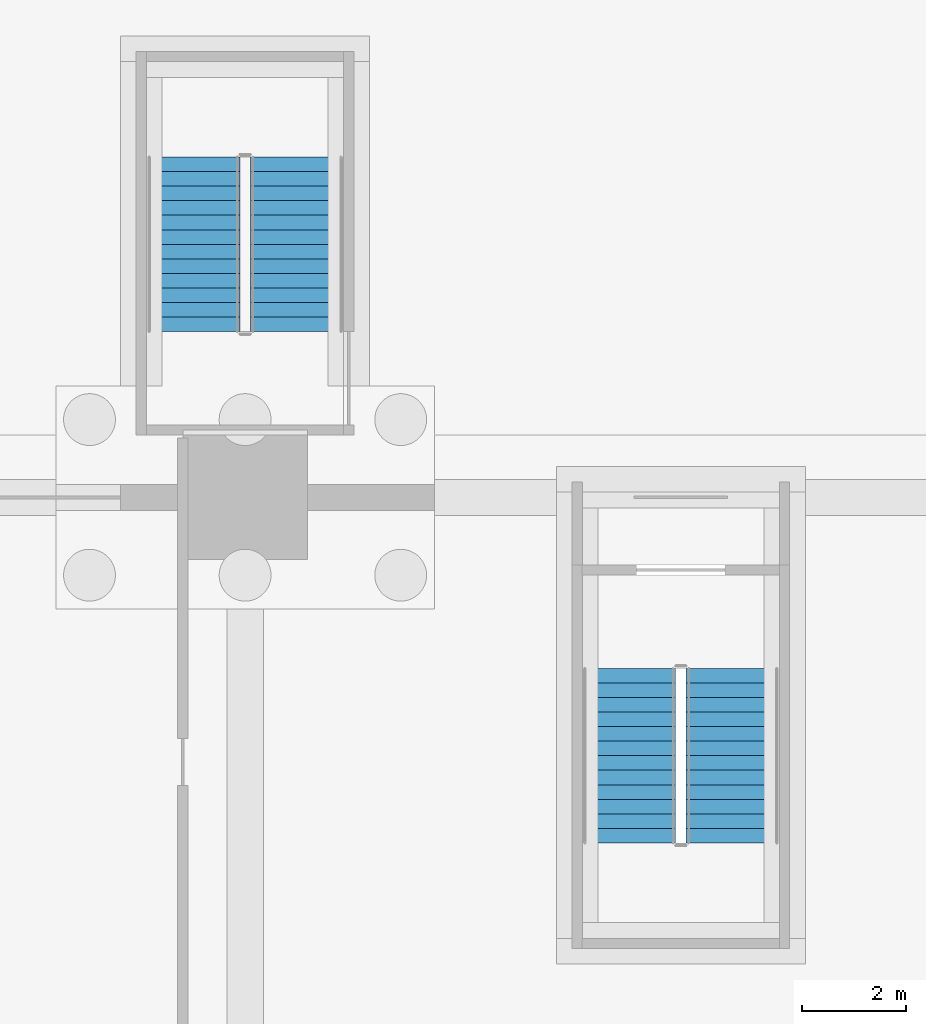
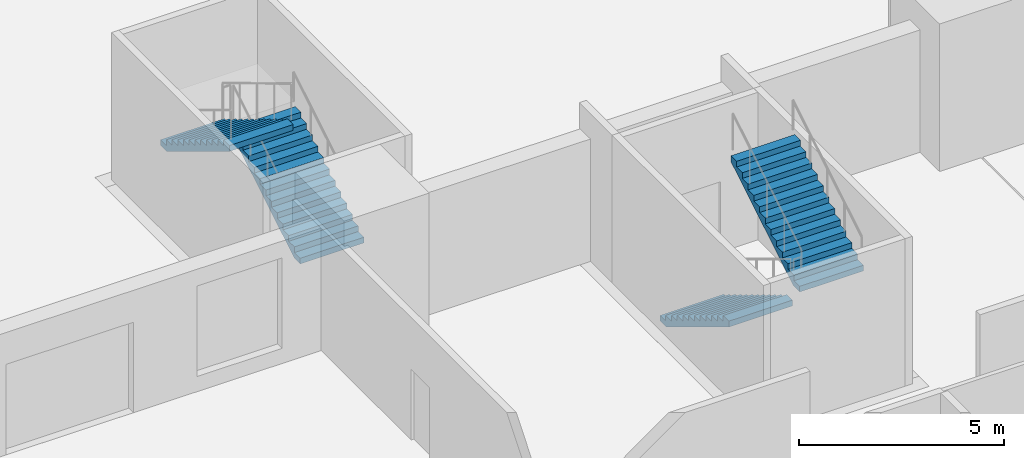
# One storey, part 110 of 139: 4 stair flights, 2 elements without a shape of their own.
"""IFC4 building model written with IfcOpenShell, lengths in metres."""

from ifc_helpers import new_model, si_unit, direction, frame, origin, place, context, subcontext, project, spatial, polygons, material, type_object, element, aggregate, save


model = new_model("IFC4")

# Units and contexts
model_context = context("Model", 3, precision=1e-05, world=origin(), true_north=direction((0.0, 1.0)))
body_context = subcontext(model_context, "Body", "Model", "MODEL_VIEW")
ifc_project = project(units=[si_unit("LENGTHUNIT", "METRE"), si_unit("AREAUNIT", "SQUARE_METRE"), si_unit("VOLUMEUNIT", "CUBIC_METRE"), si_unit("PLANEANGLEUNIT", "RADIAN"), si_unit("MASSUNIT", "GRAM", prefix="KILO")], contexts=[model_context])

# Site, building, storey
site_placement = place(None, origin())
site = spatial("IfcSite", under=ifc_project, at=site_placement, CompositionType="ELEMENT")
building_placement = place(site_placement, origin())
building = spatial("IfcBuilding", under=site, at=building_placement, Name="Verrick Yard Athletic Hall", CompositionType="ELEMENT")
storey_placement = place(building_placement, origin())
storey = spatial("IfcBuildingStorey", under=building, at=storey_placement, Name="L00", CompositionType="ELEMENT", Elevation=0.0)

# Stair, stair flights
ifc_material = material(Name="Concrete 35 MPa", Category="concrete")
stair_type = type_object("IfcStairType", Name="Stair ST3 1800 wide 26 risers", PredefinedType="HALF_TURN_STAIR", material=ifc_material)
stair_1_placement = place(storey_placement, origin())
stair_1 = element("IfcStair", 1, at=stair_1_placement, inside=storey, type_object=stair_type, Name="North deck escape 2 stair L00", PredefinedType="HALF_TURN_STAIR")
stair_flight_type = type_object("IfcStairFlightType", Name="Stair flight SF3 1800 wide 13 risers", PredefinedType="STRAIGHT", material=ifc_material)
stair_flight_1_placement = place(storey_placement, frame((108.199951171875, 56.0, 0.0), z_axis=(0.0, 0.0, 1.0), x_axis=(0.0, 1.0, 0.0)))
stair_flight_1 = element("IfcStairFlight", 2, at=stair_flight_1_placement, type_object=stair_flight_type, Name="ST3 flight 1", NumberOfRisers=13, NumberOfTreads=12, PredefinedType="STRAIGHT", RiserHeight=0.169230769, TreadLength=0.28, context=body_context, shape_type="Tessellation", body=[
    polygons([(0.28980123017674275, -0.89990234375, 0.0), (3.3600000000000003, -0.89990234375, 1.855614638571585), (3.3600000000000003, -0.89990234375, 2.030769228), (3.08, -0.89990234375, 2.030769228), (3.08, -0.89990234375, 1.8615384590000001), (2.8000000000000003, -0.89990234375, 1.8615384590000001), (2.8000000000000003, -0.89990234375, 1.69230769), (2.5200000000000005, -0.89990234375, 1.69230769), (2.5200000000000005, -0.89990234375, 1.523076921), (2.24, -0.89990234375, 1.523076921), (2.24, -0.89990234375, 1.353846152), (1.9600000000000002, -0.89990234375, 1.353846152), (1.9600000000000002, -0.89990234375, 1.1846153830000001), (1.6800000000000002, -0.89990234375, 1.1846153830000001), (1.6800000000000002, -0.89990234375, 1.015384614), (1.4000000000000001, -0.89990234375, 1.015384614), (1.4000000000000001, -0.89990234375, 0.846153845), (1.12, -0.89990234375, 0.846153845), (1.12, -0.89990234375, 0.676923076), (0.8400000000000001, -0.89990234375, 0.676923076), (0.8400000000000001, -0.89990234375, 0.507692307), (0.56, -0.89990234375, 0.507692307), (0.56, -0.89990234375, 0.338461538), (0.28, -0.89990234375, 0.338461538), (0.28, -0.89990234375, 0.169230769), (0.0, -0.89990234375, 0.169230769), (0.0, -0.89990234375, 0.0), (0.28980123017674275, -0.179931640625, 0.0), (3.3600000000000003, -0.179931640625, 1.855614638571585), (3.3600000000000003, -0.179931640625, 2.030769228), (3.08, -0.179931640625, 2.030769228), (3.08, -0.179931640625, 1.8615384590000001), (2.8000000000000003, -0.179931640625, 1.8615384590000001), (2.8000000000000003, -0.179931640625, 1.69230769), (2.5200000000000005, -0.179931640625, 1.69230769), (2.5200000000000005, -0.179931640625, 1.523076921), (2.24, -0.179931640625, 1.523076921), (2.24, -0.179931640625, 1.353846152), (1.9600000000000002, -0.179931640625, 1.353846152), (1.9600000000000002, -0.179931640625, 1.1846153830000001), (1.6800000000000002, -0.179931640625, 1.1846153830000001), (1.6800000000000002, -0.179931640625, 1.015384614), (1.4000000000000001, -0.179931640625, 1.015384614), (1.4000000000000001, -0.179931640625, 0.846153845), (1.12, -0.179931640625, 0.846153845), (1.12, -0.179931640625, 0.676923076), (0.8400000000000001, -0.179931640625, 0.676923076), (0.8400000000000001, -0.179931640625, 0.507692307), (0.56, -0.179931640625, 0.507692307), (0.56, -0.179931640625, 0.338461538), (0.28, -0.179931640625, 0.338461538), (0.28, -0.179931640625, 0.169230769), (0.0, -0.179931640625, 0.169230769), (0.0, -0.179931640625, 0.0), (0.28980123017674275, 0.179931640625, 0.0), (3.3600000000000003, 0.179931640625, 1.855614638571585), (3.3600000000000003, 0.179931640625, 2.030769228), (3.08, 0.179931640625, 2.030769228), (3.08, 0.179931640625, 1.8615384590000001), (2.8000000000000003, 0.179931640625, 1.8615384590000001), (2.8000000000000003, 0.179931640625, 1.69230769), (2.5200000000000005, 0.179931640625, 1.69230769), (2.5200000000000005, 0.179931640625, 1.523076921), (2.24, 0.179931640625, 1.523076921), (2.24, 0.179931640625, 1.353846152), (1.9600000000000002, 0.179931640625, 1.353846152), (1.9600000000000002, 0.179931640625, 1.1846153830000001), (1.6800000000000002, 0.179931640625, 1.1846153830000001), (1.6800000000000002, 0.179931640625, 1.015384614), (1.4000000000000001, 0.179931640625, 1.015384614), (1.4000000000000001, 0.179931640625, 0.846153845), (1.12, 0.179931640625, 0.846153845), (1.12, 0.179931640625, 0.676923076), (0.8400000000000001, 0.179931640625, 0.676923076), (0.8400000000000001, 0.179931640625, 0.507692307), (0.56, 0.179931640625, 0.507692307), (0.56, 0.179931640625, 0.338461538), (0.28, 0.179931640625, 0.338461538), (0.28, 0.179931640625, 0.169230769), (0.0, 0.179931640625, 0.169230769), (0.0, 0.179931640625, 0.0), (0.28980123017674275, 0.89990234375, 0.0), (3.3600000000000003, 0.89990234375, 1.855614638571585), (3.3600000000000003, 0.89990234375, 2.030769228), (3.08, 0.89990234375, 2.030769228), (3.08, 0.89990234375, 1.8615384590000001), (2.8000000000000003, 0.89990234375, 1.8615384590000001), (2.8000000000000003, 0.89990234375, 1.69230769), (2.5200000000000005, 0.89990234375, 1.69230769), (2.5200000000000005, 0.89990234375, 1.523076921), (2.24, 0.89990234375, 1.523076921), (2.24, 0.89990234375, 1.353846152), (1.9600000000000002, 0.89990234375, 1.353846152), (1.9600000000000002, 0.89990234375, 1.1846153830000001), (1.6800000000000002, 0.89990234375, 1.1846153830000001), (1.6800000000000002, 0.89990234375, 1.015384614), (1.4000000000000001, 0.89990234375, 1.015384614), (1.4000000000000001, 0.89990234375, 0.846153845), (1.12, 0.89990234375, 0.846153845), (1.12, 0.89990234375, 0.676923076), (0.8400000000000001, 0.89990234375, 0.676923076), (0.8400000000000001, 0.89990234375, 0.507692307), (0.56, 0.89990234375, 0.507692307), (0.56, 0.89990234375, 0.338461538), (0.28, 0.89990234375, 0.338461538), (0.28, 0.89990234375, 0.169230769), (0.0, 0.89990234375, 0.169230769), (0.0, 0.89990234375, 0.0)], [[[1, 2, 3, 4, 5, 6, 7, 8, 9, 10, 11, 12, 13, 14, 15, 16, 17, 18, 19, 20, 21, 22, 23, 24, 25, 26, 27]], [[108, 107, 106, 105, 104, 103, 102, 101, 100, 99, 98, 97, 96, 95, 94, 93, 92, 91, 90, 89, 88, 87, 86, 85, 84, 83, 82]], [[1, 28, 29, 2]], [[2, 29, 30, 3]], [[3, 30, 31, 4]], [[4, 31, 32, 5]], [[5, 32, 33, 6]], [[6, 33, 34, 7]], [[7, 34, 35, 8]], [[8, 35, 36, 9]], [[9, 36, 37, 10]], [[10, 37, 38, 11]], [[11, 38, 39, 12]], [[12, 39, 40, 13]], [[13, 40, 41, 14]], [[14, 41, 42, 15]], [[15, 42, 43, 16]], [[16, 43, 44, 17]], [[17, 44, 45, 18]], [[18, 45, 46, 19]], [[19, 46, 47, 20]], [[20, 47, 48, 21]], [[21, 48, 49, 22]], [[22, 49, 50, 23]], [[23, 50, 51, 24]], [[24, 51, 52, 25]], [[25, 52, 53, 26]], [[26, 53, 54, 27]], [[27, 54, 28, 1]], [[28, 55, 56, 29]], [[29, 56, 57, 30]], [[30, 57, 58, 31]], [[31, 58, 59, 32]], [[32, 59, 60, 33]], [[33, 60, 61, 34]], [[34, 61, 62, 35]], [[35, 62, 63, 36]], [[36, 63, 64, 37]], [[37, 64, 65, 38]], [[38, 65, 66, 39]], [[39, 66, 67, 40]], [[40, 67, 68, 41]], [[41, 68, 69, 42]], [[42, 69, 70, 43]], [[43, 70, 71, 44]], [[44, 71, 72, 45]], [[45, 72, 73, 46]], [[46, 73, 74, 47]], [[47, 74, 75, 48]], [[48, 75, 76, 49]], [[49, 76, 77, 50]], [[50, 77, 78, 51]], [[51, 78, 79, 52]], [[52, 79, 80, 53]], [[53, 80, 81, 54]], [[54, 81, 55, 28]], [[55, 82, 83, 56]], [[56, 83, 84, 57]], [[57, 84, 85, 58]], [[58, 85, 86, 59]], [[59, 86, 87, 60]], [[60, 87, 88, 61]], [[61, 88, 89, 62]], [[62, 89, 90, 63]], [[63, 90, 91, 64]], [[64, 91, 92, 65]], [[65, 92, 93, 66]], [[66, 93, 94, 67]], [[67, 94, 95, 68]], [[68, 95, 96, 69]], [[69, 96, 97, 70]], [[70, 97, 98, 71]], [[71, 98, 99, 72]], [[72, 99, 100, 73]], [[73, 100, 101, 74]], [[74, 101, 102, 75]], [[75, 102, 103, 76]], [[76, 103, 104, 77]], [[77, 104, 105, 78]], [[78, 105, 106, 79]], [[79, 106, 107, 80]], [[80, 107, 108, 81]], [[81, 108, 82, 55]]], closed=True),
])
stair_flight_2_placement = place(storey_placement, frame((106.199951171875, 59.360107421875, 2.199951171875), z_axis=(0.0, 0.0, 1.0), x_axis=(0.0, -1.0, 0.0)))
stair_flight_2 = element("IfcStairFlight", 3, at=stair_flight_2_placement, type_object=stair_flight_type, Name="ST3 flight 2", NumberOfRisers=13, NumberOfTreads=12, PredefinedType="STRAIGHT", RiserHeight=0.169230769, TreadLength=0.28, context=body_context, shape_type="Tessellation", body=[
    polygons([(0.28980123017674275, -0.89990234375, 0.0), (3.3600000000000003, -0.89990234375, 1.855614638571585), (3.3600000000000003, -0.89990234375, 2.030769228), (3.08, -0.89990234375, 2.030769228), (3.08, -0.89990234375, 1.8615384590000001), (2.8000000000000003, -0.89990234375, 1.8615384590000001), (2.8000000000000003, -0.89990234375, 1.69230769), (2.5200000000000005, -0.89990234375, 1.69230769), (2.5200000000000005, -0.89990234375, 1.523076921), (2.24, -0.89990234375, 1.523076921), (2.24, -0.89990234375, 1.353846152), (1.9600000000000002, -0.89990234375, 1.353846152), (1.9600000000000002, -0.89990234375, 1.1846153830000001), (1.6800000000000002, -0.89990234375, 1.1846153830000001), (1.6800000000000002, -0.89990234375, 1.015384614), (1.4000000000000001, -0.89990234375, 1.015384614), (1.4000000000000001, -0.89990234375, 0.846153845), (1.12, -0.89990234375, 0.846153845), (1.12, -0.89990234375, 0.676923076), (0.8400000000000001, -0.89990234375, 0.676923076), (0.8400000000000001, -0.89990234375, 0.507692307), (0.56, -0.89990234375, 0.507692307), (0.56, -0.89990234375, 0.338461538), (0.28, -0.89990234375, 0.338461538), (0.28, -0.89990234375, 0.169230769), (0.0, -0.89990234375, 0.169230769), (0.0, -0.89990234375, 0.0), (0.28980123017674275, -0.179931640625, 0.0), (3.3600000000000003, -0.179931640625, 1.855614638571585), (3.3600000000000003, -0.179931640625, 2.030769228), (3.08, -0.179931640625, 2.030769228), (3.08, -0.179931640625, 1.8615384590000001), (2.8000000000000003, -0.179931640625, 1.8615384590000001), (2.8000000000000003, -0.179931640625, 1.69230769), (2.5200000000000005, -0.179931640625, 1.69230769), (2.5200000000000005, -0.179931640625, 1.523076921), (2.24, -0.179931640625, 1.523076921), (2.24, -0.179931640625, 1.353846152), (1.9600000000000002, -0.179931640625, 1.353846152), (1.9600000000000002, -0.179931640625, 1.1846153830000001), (1.6800000000000002, -0.179931640625, 1.1846153830000001), (1.6800000000000002, -0.179931640625, 1.015384614), (1.4000000000000001, -0.179931640625, 1.015384614), (1.4000000000000001, -0.179931640625, 0.846153845), (1.12, -0.179931640625, 0.846153845), (1.12, -0.179931640625, 0.676923076), (0.8400000000000001, -0.179931640625, 0.676923076), (0.8400000000000001, -0.179931640625, 0.507692307), (0.56, -0.179931640625, 0.507692307), (0.56, -0.179931640625, 0.338461538), (0.28, -0.179931640625, 0.338461538), (0.28, -0.179931640625, 0.169230769), (0.0, -0.179931640625, 0.169230769), (0.0, -0.179931640625, 0.0), (0.28980123017674275, 0.179931640625, 0.0), (3.3600000000000003, 0.179931640625, 1.855614638571585), (3.3600000000000003, 0.179931640625, 2.030769228), (3.08, 0.179931640625, 2.030769228), (3.08, 0.179931640625, 1.8615384590000001), (2.8000000000000003, 0.179931640625, 1.8615384590000001), (2.8000000000000003, 0.179931640625, 1.69230769), (2.5200000000000005, 0.179931640625, 1.69230769), (2.5200000000000005, 0.179931640625, 1.523076921), (2.24, 0.179931640625, 1.523076921), (2.24, 0.179931640625, 1.353846152), (1.9600000000000002, 0.179931640625, 1.353846152), (1.9600000000000002, 0.179931640625, 1.1846153830000001), (1.6800000000000002, 0.179931640625, 1.1846153830000001), (1.6800000000000002, 0.179931640625, 1.015384614), (1.4000000000000001, 0.179931640625, 1.015384614), (1.4000000000000001, 0.179931640625, 0.846153845), (1.12, 0.179931640625, 0.846153845), (1.12, 0.179931640625, 0.676923076), (0.8400000000000001, 0.179931640625, 0.676923076), (0.8400000000000001, 0.179931640625, 0.507692307), (0.56, 0.179931640625, 0.507692307), (0.56, 0.179931640625, 0.338461538), (0.28, 0.179931640625, 0.338461538), (0.28, 0.179931640625, 0.169230769), (0.0, 0.179931640625, 0.169230769), (0.0, 0.179931640625, 0.0), (0.28980123017674275, 0.89990234375, 0.0), (3.3600000000000003, 0.89990234375, 1.855614638571585), (3.3600000000000003, 0.89990234375, 2.030769228), (3.08, 0.89990234375, 2.030769228), (3.08, 0.89990234375, 1.8615384590000001), (2.8000000000000003, 0.89990234375, 1.8615384590000001), (2.8000000000000003, 0.89990234375, 1.69230769), (2.5200000000000005, 0.89990234375, 1.69230769), (2.5200000000000005, 0.89990234375, 1.523076921), (2.24, 0.89990234375, 1.523076921), (2.24, 0.89990234375, 1.353846152), (1.9600000000000002, 0.89990234375, 1.353846152), (1.9600000000000002, 0.89990234375, 1.1846153830000001), (1.6800000000000002, 0.89990234375, 1.1846153830000001), (1.6800000000000002, 0.89990234375, 1.015384614), (1.4000000000000001, 0.89990234375, 1.015384614), (1.4000000000000001, 0.89990234375, 0.846153845), (1.12, 0.89990234375, 0.846153845), (1.12, 0.89990234375, 0.676923076), (0.8400000000000001, 0.89990234375, 0.676923076), (0.8400000000000001, 0.89990234375, 0.507692307), (0.56, 0.89990234375, 0.507692307), (0.56, 0.89990234375, 0.338461538), (0.28, 0.89990234375, 0.338461538), (0.28, 0.89990234375, 0.169230769), (0.0, 0.89990234375, 0.169230769), (0.0, 0.89990234375, 0.0)], [[[1, 2, 3, 4, 5, 6, 7, 8, 9, 10, 11, 12, 13, 14, 15, 16, 17, 18, 19, 20, 21, 22, 23, 24, 25, 26, 27]], [[108, 107, 106, 105, 104, 103, 102, 101, 100, 99, 98, 97, 96, 95, 94, 93, 92, 91, 90, 89, 88, 87, 86, 85, 84, 83, 82]], [[1, 28, 29, 2]], [[2, 29, 30, 3]], [[3, 30, 31, 4]], [[4, 31, 32, 5]], [[5, 32, 33, 6]], [[6, 33, 34, 7]], [[7, 34, 35, 8]], [[8, 35, 36, 9]], [[9, 36, 37, 10]], [[10, 37, 38, 11]], [[11, 38, 39, 12]], [[12, 39, 40, 13]], [[13, 40, 41, 14]], [[14, 41, 42, 15]], [[15, 42, 43, 16]], [[16, 43, 44, 17]], [[17, 44, 45, 18]], [[18, 45, 46, 19]], [[19, 46, 47, 20]], [[20, 47, 48, 21]], [[21, 48, 49, 22]], [[22, 49, 50, 23]], [[23, 50, 51, 24]], [[24, 51, 52, 25]], [[25, 52, 53, 26]], [[26, 53, 54, 27]], [[27, 54, 28, 1]], [[28, 55, 56, 29]], [[29, 56, 57, 30]], [[30, 57, 58, 31]], [[31, 58, 59, 32]], [[32, 59, 60, 33]], [[33, 60, 61, 34]], [[34, 61, 62, 35]], [[35, 62, 63, 36]], [[36, 63, 64, 37]], [[37, 64, 65, 38]], [[38, 65, 66, 39]], [[39, 66, 67, 40]], [[40, 67, 68, 41]], [[41, 68, 69, 42]], [[42, 69, 70, 43]], [[43, 70, 71, 44]], [[44, 71, 72, 45]], [[45, 72, 73, 46]], [[46, 73, 74, 47]], [[47, 74, 75, 48]], [[48, 75, 76, 49]], [[49, 76, 77, 50]], [[50, 77, 78, 51]], [[51, 78, 79, 52]], [[52, 79, 80, 53]], [[53, 80, 81, 54]], [[54, 81, 55, 28]], [[55, 82, 83, 56]], [[56, 83, 84, 57]], [[57, 84, 85, 58]], [[58, 85, 86, 59]], [[59, 86, 87, 60]], [[60, 87, 88, 61]], [[61, 88, 89, 62]], [[62, 89, 90, 63]], [[63, 90, 91, 64]], [[64, 91, 92, 65]], [[65, 92, 93, 66]], [[66, 93, 94, 67]], [[67, 94, 95, 68]], [[68, 95, 96, 69]], [[69, 96, 97, 70]], [[70, 97, 98, 71]], [[71, 98, 99, 72]], [[72, 99, 100, 73]], [[73, 100, 101, 74]], [[74, 101, 102, 75]], [[75, 102, 103, 76]], [[76, 103, 104, 77]], [[77, 104, 105, 78]], [[78, 105, 106, 79]], [[79, 106, 107, 80]], [[80, 107, 108, 81]], [[81, 108, 82, 55]]], closed=True),
])
aggregate(stair_1, [stair_flight_1, stair_flight_2])

stair_2_placement = place(storey_placement, origin())
stair_2 = element("IfcStair", 4, at=stair_2_placement, inside=storey, type_object=stair_type, Name="North plinth exit 3 stair L00", PredefinedType="HALF_TURN_STAIR")
stair_flight_3_placement = place(storey_placement, frame((114.60009765625, 49.5, 0.0), z_axis=(0.0, 0.0, 1.0), x_axis=(0.0, -1.0, 0.0)))
stair_flight_3 = element("IfcStairFlight", 5, at=stair_flight_3_placement, type_object=stair_flight_type, Name="ST3 flight 1", NumberOfRisers=13, NumberOfTreads=12, PredefinedType="STRAIGHT", RiserHeight=0.169230769, TreadLength=0.28, context=body_context, shape_type="Tessellation", body=[
    polygons([(0.28980123017674275, -0.89990234375, 0.0), (3.3600000000000003, -0.89990234375, 1.855614638571585), (3.3600000000000003, -0.89990234375, 2.030769228), (3.08, -0.89990234375, 2.030769228), (3.08, -0.89990234375, 1.8615384590000001), (2.8000000000000003, -0.89990234375, 1.8615384590000001), (2.8000000000000003, -0.89990234375, 1.69230769), (2.5200000000000005, -0.89990234375, 1.69230769), (2.5200000000000005, -0.89990234375, 1.523076921), (2.24, -0.89990234375, 1.523076921), (2.24, -0.89990234375, 1.353846152), (1.9600000000000002, -0.89990234375, 1.353846152), (1.9600000000000002, -0.89990234375, 1.1846153830000001), (1.6800000000000002, -0.89990234375, 1.1846153830000001), (1.6800000000000002, -0.89990234375, 1.015384614), (1.4000000000000001, -0.89990234375, 1.015384614), (1.4000000000000001, -0.89990234375, 0.846153845), (1.12, -0.89990234375, 0.846153845), (1.12, -0.89990234375, 0.676923076), (0.8400000000000001, -0.89990234375, 0.676923076), (0.8400000000000001, -0.89990234375, 0.507692307), (0.56, -0.89990234375, 0.507692307), (0.56, -0.89990234375, 0.338461538), (0.28, -0.89990234375, 0.338461538), (0.28, -0.89990234375, 0.169230769), (0.0, -0.89990234375, 0.169230769), (0.0, -0.89990234375, 0.0), (0.28980123017674275, -0.179931640625, 0.0), (3.3600000000000003, -0.179931640625, 1.855614638571585), (3.3600000000000003, -0.179931640625, 2.030769228), (3.08, -0.179931640625, 2.030769228), (3.08, -0.179931640625, 1.8615384590000001), (2.8000000000000003, -0.179931640625, 1.8615384590000001), (2.8000000000000003, -0.179931640625, 1.69230769), (2.5200000000000005, -0.179931640625, 1.69230769), (2.5200000000000005, -0.179931640625, 1.523076921), (2.24, -0.179931640625, 1.523076921), (2.24, -0.179931640625, 1.353846152), (1.9600000000000002, -0.179931640625, 1.353846152), (1.9600000000000002, -0.179931640625, 1.1846153830000001), (1.6800000000000002, -0.179931640625, 1.1846153830000001), (1.6800000000000002, -0.179931640625, 1.015384614), (1.4000000000000001, -0.179931640625, 1.015384614), (1.4000000000000001, -0.179931640625, 0.846153845), (1.12, -0.179931640625, 0.846153845), (1.12, -0.179931640625, 0.676923076), (0.8400000000000001, -0.179931640625, 0.676923076), (0.8400000000000001, -0.179931640625, 0.507692307), (0.56, -0.179931640625, 0.507692307), (0.56, -0.179931640625, 0.338461538), (0.28, -0.179931640625, 0.338461538), (0.28, -0.179931640625, 0.169230769), (0.0, -0.179931640625, 0.169230769), (0.0, -0.179931640625, 0.0), (0.28980123017674275, 0.179931640625, 0.0), (3.3600000000000003, 0.179931640625, 1.855614638571585), (3.3600000000000003, 0.179931640625, 2.030769228), (3.08, 0.179931640625, 2.030769228), (3.08, 0.179931640625, 1.8615384590000001), (2.8000000000000003, 0.179931640625, 1.8615384590000001), (2.8000000000000003, 0.179931640625, 1.69230769), (2.5200000000000005, 0.179931640625, 1.69230769), (2.5200000000000005, 0.179931640625, 1.523076921), (2.24, 0.179931640625, 1.523076921), (2.24, 0.179931640625, 1.353846152), (1.9600000000000002, 0.179931640625, 1.353846152), (1.9600000000000002, 0.179931640625, 1.1846153830000001), (1.6800000000000002, 0.179931640625, 1.1846153830000001), (1.6800000000000002, 0.179931640625, 1.015384614), (1.4000000000000001, 0.179931640625, 1.015384614), (1.4000000000000001, 0.179931640625, 0.846153845), (1.12, 0.179931640625, 0.846153845), (1.12, 0.179931640625, 0.676923076), (0.8400000000000001, 0.179931640625, 0.676923076), (0.8400000000000001, 0.179931640625, 0.507692307), (0.56, 0.179931640625, 0.507692307), (0.56, 0.179931640625, 0.338461538), (0.28, 0.179931640625, 0.338461538), (0.28, 0.179931640625, 0.169230769), (0.0, 0.179931640625, 0.169230769), (0.0, 0.179931640625, 0.0), (0.28980123017674275, 0.89990234375, 0.0), (3.3600000000000003, 0.89990234375, 1.855614638571585), (3.3600000000000003, 0.89990234375, 2.030769228), (3.08, 0.89990234375, 2.030769228), (3.08, 0.89990234375, 1.8615384590000001), (2.8000000000000003, 0.89990234375, 1.8615384590000001), (2.8000000000000003, 0.89990234375, 1.69230769), (2.5200000000000005, 0.89990234375, 1.69230769), (2.5200000000000005, 0.89990234375, 1.523076921), (2.24, 0.89990234375, 1.523076921), (2.24, 0.89990234375, 1.353846152), (1.9600000000000002, 0.89990234375, 1.353846152), (1.9600000000000002, 0.89990234375, 1.1846153830000001), (1.6800000000000002, 0.89990234375, 1.1846153830000001), (1.6800000000000002, 0.89990234375, 1.015384614), (1.4000000000000001, 0.89990234375, 1.015384614), (1.4000000000000001, 0.89990234375, 0.846153845), (1.12, 0.89990234375, 0.846153845), (1.12, 0.89990234375, 0.676923076), (0.8400000000000001, 0.89990234375, 0.676923076), (0.8400000000000001, 0.89990234375, 0.507692307), (0.56, 0.89990234375, 0.507692307), (0.56, 0.89990234375, 0.338461538), (0.28, 0.89990234375, 0.338461538), (0.28, 0.89990234375, 0.169230769), (0.0, 0.89990234375, 0.169230769), (0.0, 0.89990234375, 0.0)], [[[1, 2, 3, 4, 5, 6, 7, 8, 9, 10, 11, 12, 13, 14, 15, 16, 17, 18, 19, 20, 21, 22, 23, 24, 25, 26, 27]], [[108, 107, 106, 105, 104, 103, 102, 101, 100, 99, 98, 97, 96, 95, 94, 93, 92, 91, 90, 89, 88, 87, 86, 85, 84, 83, 82]], [[1, 28, 29, 2]], [[2, 29, 30, 3]], [[3, 30, 31, 4]], [[4, 31, 32, 5]], [[5, 32, 33, 6]], [[6, 33, 34, 7]], [[7, 34, 35, 8]], [[8, 35, 36, 9]], [[9, 36, 37, 10]], [[10, 37, 38, 11]], [[11, 38, 39, 12]], [[12, 39, 40, 13]], [[13, 40, 41, 14]], [[14, 41, 42, 15]], [[15, 42, 43, 16]], [[16, 43, 44, 17]], [[17, 44, 45, 18]], [[18, 45, 46, 19]], [[19, 46, 47, 20]], [[20, 47, 48, 21]], [[21, 48, 49, 22]], [[22, 49, 50, 23]], [[23, 50, 51, 24]], [[24, 51, 52, 25]], [[25, 52, 53, 26]], [[26, 53, 54, 27]], [[27, 54, 28, 1]], [[28, 55, 56, 29]], [[29, 56, 57, 30]], [[30, 57, 58, 31]], [[31, 58, 59, 32]], [[32, 59, 60, 33]], [[33, 60, 61, 34]], [[34, 61, 62, 35]], [[35, 62, 63, 36]], [[36, 63, 64, 37]], [[37, 64, 65, 38]], [[38, 65, 66, 39]], [[39, 66, 67, 40]], [[40, 67, 68, 41]], [[41, 68, 69, 42]], [[42, 69, 70, 43]], [[43, 70, 71, 44]], [[44, 71, 72, 45]], [[45, 72, 73, 46]], [[46, 73, 74, 47]], [[47, 74, 75, 48]], [[48, 75, 76, 49]], [[49, 76, 77, 50]], [[50, 77, 78, 51]], [[51, 78, 79, 52]], [[52, 79, 80, 53]], [[53, 80, 81, 54]], [[54, 81, 55, 28]], [[55, 82, 83, 56]], [[56, 83, 84, 57]], [[57, 84, 85, 58]], [[58, 85, 86, 59]], [[59, 86, 87, 60]], [[60, 87, 88, 61]], [[61, 88, 89, 62]], [[62, 89, 90, 63]], [[63, 90, 91, 64]], [[64, 91, 92, 65]], [[65, 92, 93, 66]], [[66, 93, 94, 67]], [[67, 94, 95, 68]], [[68, 95, 96, 69]], [[69, 96, 97, 70]], [[70, 97, 98, 71]], [[71, 98, 99, 72]], [[72, 99, 100, 73]], [[73, 100, 101, 74]], [[74, 101, 102, 75]], [[75, 102, 103, 76]], [[76, 103, 104, 77]], [[77, 104, 105, 78]], [[78, 105, 106, 79]], [[79, 106, 107, 80]], [[80, 107, 108, 81]], [[81, 108, 82, 55]]], closed=True),
])
stair_flight_4_placement = place(storey_placement, frame((116.60009765625, 46.139892578125, 2.199951171875), z_axis=(0.0, 0.0, 1.0), x_axis=(0.0, 1.0, 0.0)))
stair_flight_4 = element("IfcStairFlight", 6, at=stair_flight_4_placement, type_object=stair_flight_type, Name="ST3 flight 2", NumberOfRisers=13, NumberOfTreads=12, PredefinedType="STRAIGHT", RiserHeight=0.169230769, TreadLength=0.28, context=body_context, shape_type="Tessellation", body=[
    polygons([(0.28980123017674275, -0.89990234375, 0.0), (3.3600000000000003, -0.89990234375, 1.855614638571585), (3.3600000000000003, -0.89990234375, 2.030769228), (3.08, -0.89990234375, 2.030769228), (3.08, -0.89990234375, 1.8615384590000001), (2.8000000000000003, -0.89990234375, 1.8615384590000001), (2.8000000000000003, -0.89990234375, 1.69230769), (2.5200000000000005, -0.89990234375, 1.69230769), (2.5200000000000005, -0.89990234375, 1.523076921), (2.24, -0.89990234375, 1.523076921), (2.24, -0.89990234375, 1.353846152), (1.9600000000000002, -0.89990234375, 1.353846152), (1.9600000000000002, -0.89990234375, 1.1846153830000001), (1.6800000000000002, -0.89990234375, 1.1846153830000001), (1.6800000000000002, -0.89990234375, 1.015384614), (1.4000000000000001, -0.89990234375, 1.015384614), (1.4000000000000001, -0.89990234375, 0.846153845), (1.12, -0.89990234375, 0.846153845), (1.12, -0.89990234375, 0.676923076), (0.8400000000000001, -0.89990234375, 0.676923076), (0.8400000000000001, -0.89990234375, 0.507692307), (0.56, -0.89990234375, 0.507692307), (0.56, -0.89990234375, 0.338461538), (0.28, -0.89990234375, 0.338461538), (0.28, -0.89990234375, 0.169230769), (0.0, -0.89990234375, 0.169230769), (0.0, -0.89990234375, 0.0), (0.28980123017674275, -0.179931640625, 0.0), (3.3600000000000003, -0.179931640625, 1.855614638571585), (3.3600000000000003, -0.179931640625, 2.030769228), (3.08, -0.179931640625, 2.030769228), (3.08, -0.179931640625, 1.8615384590000001), (2.8000000000000003, -0.179931640625, 1.8615384590000001), (2.8000000000000003, -0.179931640625, 1.69230769), (2.5200000000000005, -0.179931640625, 1.69230769), (2.5200000000000005, -0.179931640625, 1.523076921), (2.24, -0.179931640625, 1.523076921), (2.24, -0.179931640625, 1.353846152), (1.9600000000000002, -0.179931640625, 1.353846152), (1.9600000000000002, -0.179931640625, 1.1846153830000001), (1.6800000000000002, -0.179931640625, 1.1846153830000001), (1.6800000000000002, -0.179931640625, 1.015384614), (1.4000000000000001, -0.179931640625, 1.015384614), (1.4000000000000001, -0.179931640625, 0.846153845), (1.12, -0.179931640625, 0.846153845), (1.12, -0.179931640625, 0.676923076), (0.8400000000000001, -0.179931640625, 0.676923076), (0.8400000000000001, -0.179931640625, 0.507692307), (0.56, -0.179931640625, 0.507692307), (0.56, -0.179931640625, 0.338461538), (0.28, -0.179931640625, 0.338461538), (0.28, -0.179931640625, 0.169230769), (0.0, -0.179931640625, 0.169230769), (0.0, -0.179931640625, 0.0), (0.28980123017674275, 0.179931640625, 0.0), (3.3600000000000003, 0.179931640625, 1.855614638571585), (3.3600000000000003, 0.179931640625, 2.030769228), (3.08, 0.179931640625, 2.030769228), (3.08, 0.179931640625, 1.8615384590000001), (2.8000000000000003, 0.179931640625, 1.8615384590000001), (2.8000000000000003, 0.179931640625, 1.69230769), (2.5200000000000005, 0.179931640625, 1.69230769), (2.5200000000000005, 0.179931640625, 1.523076921), (2.24, 0.179931640625, 1.523076921), (2.24, 0.179931640625, 1.353846152), (1.9600000000000002, 0.179931640625, 1.353846152), (1.9600000000000002, 0.179931640625, 1.1846153830000001), (1.6800000000000002, 0.179931640625, 1.1846153830000001), (1.6800000000000002, 0.179931640625, 1.015384614), (1.4000000000000001, 0.179931640625, 1.015384614), (1.4000000000000001, 0.179931640625, 0.846153845), (1.12, 0.179931640625, 0.846153845), (1.12, 0.179931640625, 0.676923076), (0.8400000000000001, 0.179931640625, 0.676923076), (0.8400000000000001, 0.179931640625, 0.507692307), (0.56, 0.179931640625, 0.507692307), (0.56, 0.179931640625, 0.338461538), (0.28, 0.179931640625, 0.338461538), (0.28, 0.179931640625, 0.169230769), (0.0, 0.179931640625, 0.169230769), (0.0, 0.179931640625, 0.0), (0.28980123017674275, 0.89990234375, 0.0), (3.3600000000000003, 0.89990234375, 1.855614638571585), (3.3600000000000003, 0.89990234375, 2.030769228), (3.08, 0.89990234375, 2.030769228), (3.08, 0.89990234375, 1.8615384590000001), (2.8000000000000003, 0.89990234375, 1.8615384590000001), (2.8000000000000003, 0.89990234375, 1.69230769), (2.5200000000000005, 0.89990234375, 1.69230769), (2.5200000000000005, 0.89990234375, 1.523076921), (2.24, 0.89990234375, 1.523076921), (2.24, 0.89990234375, 1.353846152), (1.9600000000000002, 0.89990234375, 1.353846152), (1.9600000000000002, 0.89990234375, 1.1846153830000001), (1.6800000000000002, 0.89990234375, 1.1846153830000001), (1.6800000000000002, 0.89990234375, 1.015384614), (1.4000000000000001, 0.89990234375, 1.015384614), (1.4000000000000001, 0.89990234375, 0.846153845), (1.12, 0.89990234375, 0.846153845), (1.12, 0.89990234375, 0.676923076), (0.8400000000000001, 0.89990234375, 0.676923076), (0.8400000000000001, 0.89990234375, 0.507692307), (0.56, 0.89990234375, 0.507692307), (0.56, 0.89990234375, 0.338461538), (0.28, 0.89990234375, 0.338461538), (0.28, 0.89990234375, 0.169230769), (0.0, 0.89990234375, 0.169230769), (0.0, 0.89990234375, 0.0)], [[[1, 2, 3, 4, 5, 6, 7, 8, 9, 10, 11, 12, 13, 14, 15, 16, 17, 18, 19, 20, 21, 22, 23, 24, 25, 26, 27]], [[108, 107, 106, 105, 104, 103, 102, 101, 100, 99, 98, 97, 96, 95, 94, 93, 92, 91, 90, 89, 88, 87, 86, 85, 84, 83, 82]], [[1, 28, 29, 2]], [[2, 29, 30, 3]], [[3, 30, 31, 4]], [[4, 31, 32, 5]], [[5, 32, 33, 6]], [[6, 33, 34, 7]], [[7, 34, 35, 8]], [[8, 35, 36, 9]], [[9, 36, 37, 10]], [[10, 37, 38, 11]], [[11, 38, 39, 12]], [[12, 39, 40, 13]], [[13, 40, 41, 14]], [[14, 41, 42, 15]], [[15, 42, 43, 16]], [[16, 43, 44, 17]], [[17, 44, 45, 18]], [[18, 45, 46, 19]], [[19, 46, 47, 20]], [[20, 47, 48, 21]], [[21, 48, 49, 22]], [[22, 49, 50, 23]], [[23, 50, 51, 24]], [[24, 51, 52, 25]], [[25, 52, 53, 26]], [[26, 53, 54, 27]], [[27, 54, 28, 1]], [[28, 55, 56, 29]], [[29, 56, 57, 30]], [[30, 57, 58, 31]], [[31, 58, 59, 32]], [[32, 59, 60, 33]], [[33, 60, 61, 34]], [[34, 61, 62, 35]], [[35, 62, 63, 36]], [[36, 63, 64, 37]], [[37, 64, 65, 38]], [[38, 65, 66, 39]], [[39, 66, 67, 40]], [[40, 67, 68, 41]], [[41, 68, 69, 42]], [[42, 69, 70, 43]], [[43, 70, 71, 44]], [[44, 71, 72, 45]], [[45, 72, 73, 46]], [[46, 73, 74, 47]], [[47, 74, 75, 48]], [[48, 75, 76, 49]], [[49, 76, 77, 50]], [[50, 77, 78, 51]], [[51, 78, 79, 52]], [[52, 79, 80, 53]], [[53, 80, 81, 54]], [[54, 81, 55, 28]], [[55, 82, 83, 56]], [[56, 83, 84, 57]], [[57, 84, 85, 58]], [[58, 85, 86, 59]], [[59, 86, 87, 60]], [[60, 87, 88, 61]], [[61, 88, 89, 62]], [[62, 89, 90, 63]], [[63, 90, 91, 64]], [[64, 91, 92, 65]], [[65, 92, 93, 66]], [[66, 93, 94, 67]], [[67, 94, 95, 68]], [[68, 95, 96, 69]], [[69, 96, 97, 70]], [[70, 97, 98, 71]], [[71, 98, 99, 72]], [[72, 99, 100, 73]], [[73, 100, 101, 74]], [[74, 101, 102, 75]], [[75, 102, 103, 76]], [[76, 103, 104, 77]], [[77, 104, 105, 78]], [[78, 105, 106, 79]], [[79, 106, 107, 80]], [[80, 107, 108, 81]], [[81, 108, 82, 55]]], closed=True),
])
aggregate(stair_2, [stair_flight_3, stair_flight_4])

save(model, "model.ifc")
